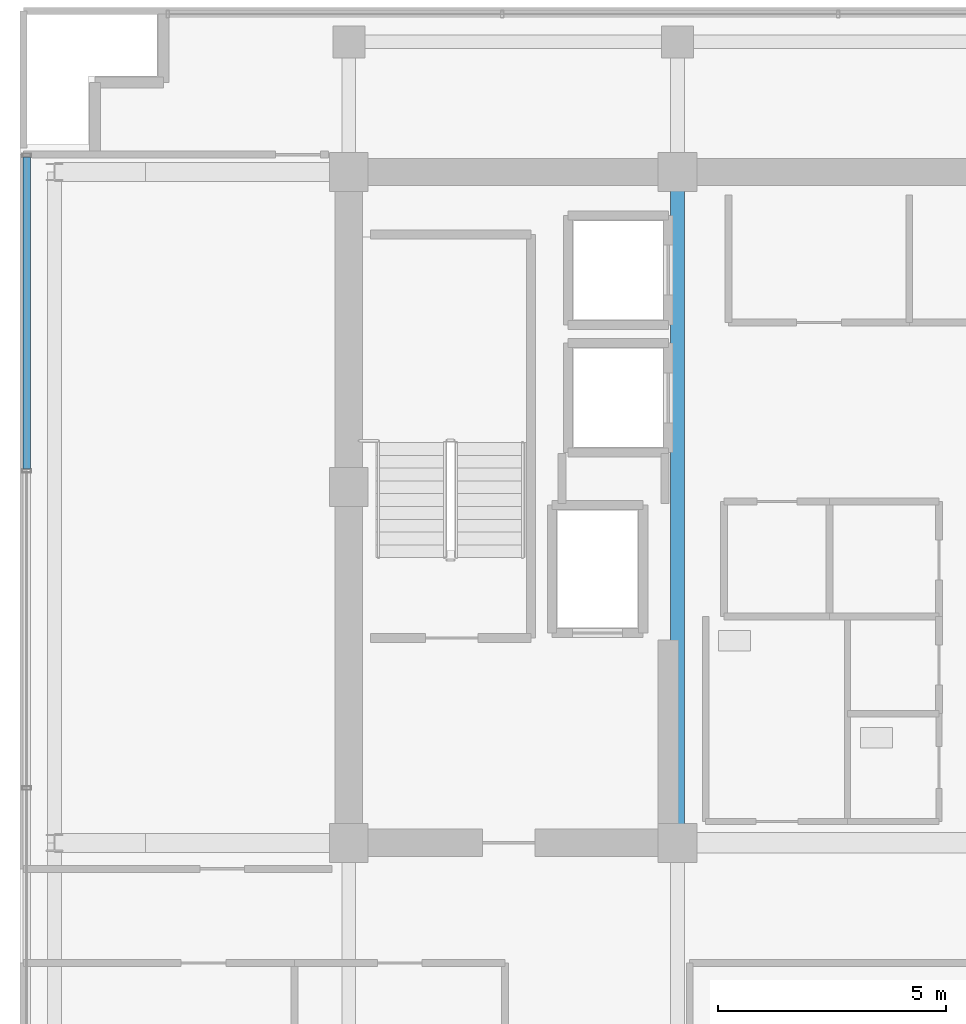
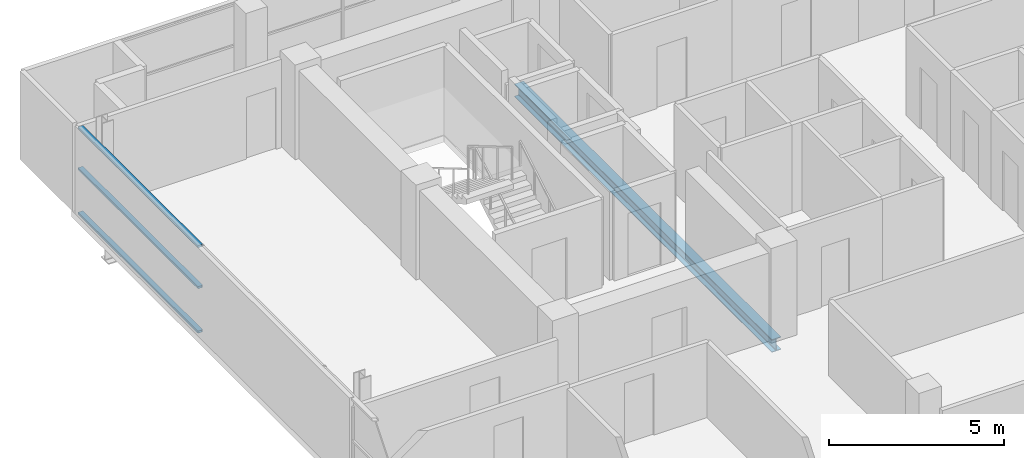
# One storey, part 10 of 29: 3 members, 1 beam, 1 element without a shape of its own.
"""IFC4 building model written with IfcOpenShell, lengths in metres."""

from ifc_helpers import new_model, si_unit, direction, frame, origin, origin_2d, place, context, subcontext, project, spatial, hollow_rectangle, i_section, extrude, source, transform, mapped, material, layer, layer_set, material_profile, profile_set, type_object, element, aggregate, save


model = new_model("IFC4")

# Units and contexts
model_context = context("Model", 3, precision=1e-05, world=origin(), true_north=direction((0.0, 1.0)))
body_context = subcontext(model_context, "Body", "Model", "MODEL_VIEW")
ifc_project = project(units=[si_unit("LENGTHUNIT", "METRE"), si_unit("AREAUNIT", "SQUARE_METRE"), si_unit("VOLUMEUNIT", "CUBIC_METRE"), si_unit("PLANEANGLEUNIT", "RADIAN"), si_unit("MASSUNIT", "GRAM", prefix="KILO")], contexts=[model_context])

# Site, building, storey
site_placement = place(None, origin())
site = spatial("IfcSite", under=ifc_project, at=site_placement, CompositionType="ELEMENT")
building_placement = place(site_placement, origin())
building = spatial("IfcBuilding", under=site, at=building_placement, Name="Zarnakvel Exchange Tower", CompositionType="ELEMENT")
storey_placement = place(building_placement, frame((0.0, 0.0, 258.39990234375)))
storey = spatial("IfcBuildingStorey", under=building, at=storey_placement, Name="L73", CompositionType="ELEMENT", Elevation=258.39990234375)

# Beam
ifc_material_1 = material(Name="Steel S355", Category="steel")
ifc_material_profile_1 = material_profile(ifc_material_1, i_section(OverallWidth=0.300048828125, OverallDepth=0.449951171875, WebThickness=0.013916015625, FlangeThickness=0.02587890625, FilletRadius=0.027099609375, at=origin_2d()))
ifc_profile_set_1 = profile_set([ifc_material_profile_1], Name="Steel S355")
beam_type = type_object("IfcBeamType", Name="G-07", PredefinedType="BEAM", material=ifc_profile_set_1)
beam_placement = place(storey_placement, frame((-7.199951171875, -1.199951171875, -0.449951171875), z_axis=(0.0, 1.0, 0.0), x_axis=(-1.0, 0.0, 0.0)))
element("IfcBeam", 1, at=beam_placement, inside=storey, type_object=beam_type, Name="L73 Tower N-S Frame Beam", PredefinedType="BEAM", context=body_context, shape_type="SweptSolid", body=[
    extrude(i_section(OverallWidth=0.300048828125, OverallDepth=0.449951171875, WebThickness=0.013916015625, FlangeThickness=0.02587890625, FilletRadius=0.027099609375, at=origin_2d()), origin(), (0.0, 0.0, 1.0), 14.699951171875),
])

# Curtain wall, members
ifc_material_2 = material(Name="Architectural Bronze Anodised Aluminium", Category="aluminium")
ifc_layer = layer(ifc_material_2, 0.199951171875)
ifc_layer_set = layer_set([ifc_layer], Name="Architectural Bronze Anodised Aluminium")
curtain_wall_type = type_object("IfcCurtainWallType", Name="CW-04", PredefinedType="NOTDEFINED", material=ifc_layer_set)
curtain_wall_placement = place(storey_placement, origin())
curtain_wall = element("IfcCurtainWall", 2, at=curtain_wall_placement, inside=storey, type_object=curtain_wall_type, Name="L73 Curtain Wall CW-L73-W1 (CW-04)", PredefinedType="NOTDEFINED")
ifc_material_profile_2 = material_profile(ifc_material_2, hollow_rectangle(XDim=0.159912109375, YDim=0.074951171875, WallThickness=0.00390625, at=origin_2d()))
ifc_profile_set_2 = profile_set([ifc_material_profile_2], Name="Architectural Bronze Anodised Aluminium")
member_type = type_object("IfcMemberType", Name="CWT-04", PredefinedType="USERDEFINED", material=ifc_profile_set_2)
shared_shape = source(origin(), body_context, "Body", "SweptSolid", [
    extrude(hollow_rectangle(XDim=0.159912109375, YDim=0.074951171875, WallThickness=0.00390625, at=origin_2d()), origin(), (0.0, 0.0, 1.0), 6.83740234375),
])
member_1_placement = place(storey_placement, frame((-21.4599609375, 6.987548828125, 0.03759765625), z_axis=(0.0, 1.0, 0.0), x_axis=(-1.0, 0.0, 0.0)))
member_1 = element("IfcMember", 3, at=member_1_placement, type_object=member_type, Name="CW-04 transom 4.1", ObjectType="TRANSOM", PredefinedType="USERDEFINED", context=body_context, shape_type="MappedRepresentation", body=[
    mapped(shared_shape, transform((0.0, 0.0, 0.0), x_axis=(1.0, 0.0, 0.0), y_axis=(0.0, 1.0, 0.0), z_axis=(0.0, 0.0, 1.0), scale=1.0)),
])
member_2_placement = place(storey_placement, frame((-21.4599609375, 6.987548828125, 1.588623046875), z_axis=(0.0, 1.0, 0.0), x_axis=(-1.0, 0.0, 0.0)))
member_2 = element("IfcMember", 4, at=member_2_placement, type_object=member_type, Name="CW-04 transom 4.2", ObjectType="TRANSOM", PredefinedType="USERDEFINED", context=body_context, shape_type="MappedRepresentation", body=[
    mapped(shared_shape, transform((0.0, 0.0, 0.0), x_axis=(1.0, 0.0, 0.0), y_axis=(0.0, 1.0, 0.0), z_axis=(0.0, 0.0, 1.0), scale=1.0)),
])
member_3_placement = place(storey_placement, frame((-21.4599609375, 6.987548828125, 3.017578125), z_axis=(0.0, 1.0, 0.0), x_axis=(-1.0, 0.0, 0.0)))
member_3 = element("IfcMember", 5, at=member_3_placement, type_object=member_type, Name="CW-04 transom 4.3", ObjectType="TRANSOM", PredefinedType="USERDEFINED", context=body_context, shape_type="MappedRepresentation", body=[
    mapped(shared_shape, transform((0.0, 0.0, 0.0), x_axis=(1.0, 0.0, 0.0), y_axis=(0.0, 1.0, 0.0), z_axis=(0.0, 0.0, 1.0), scale=1.0)),
])
aggregate(curtain_wall, [member_1, member_2, member_3])

save(model, "model.ifc")
